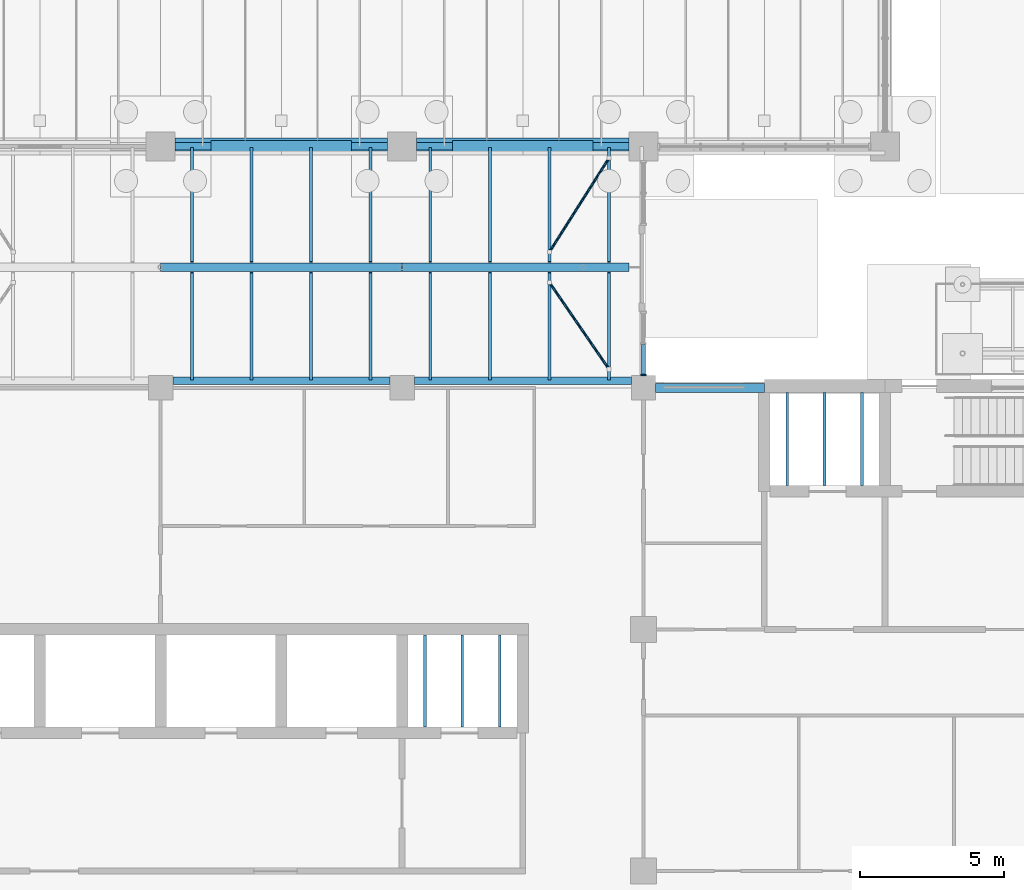
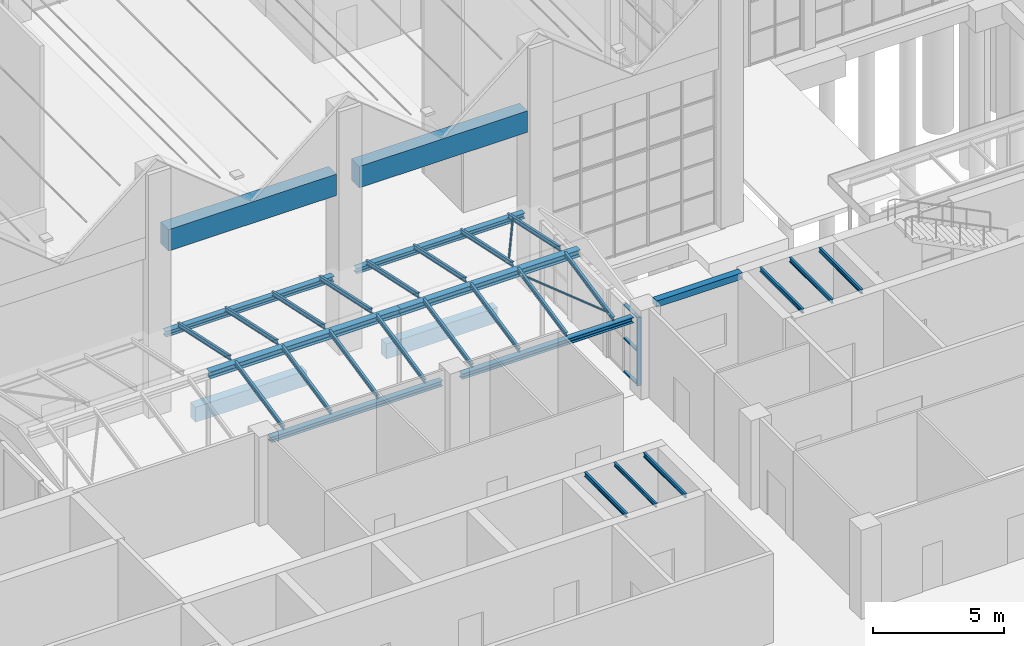
# One storey, part 38 of 138: 33 beams, 6 members, 1 element without a shape of its own.
"""IFC4 building model written with IfcOpenShell, lengths in metres."""

import ifcopenshell
import ifcopenshell.guid

model = None  # the IFC model being written
_history = None  # IfcOwnerHistory: only IFC2X3 demands one
_inside = {}  # id of a spatial element -> (the spatial element, [elements in it])
_under = {}  # id of a project, library or spatial element -> (it, [spatial elements below it])
_declared = {}  # id of a project -> (the project, [libraries it declares])
_typed = {}  # id of a type object -> (the type object, [elements of that type])
_made_of = {}  # id of a material, layer set ... -> (it, [elements and type objects made of it])


def new_model(schema):
    """Start an empty IFC model of exactly this schema.

    Asked for "IFC4X3", IfcOpenShell would pick the latest addendum, in which some entities
    have other attributes; the version numbers below select the first issue.
    IFC2X3 requires an IfcOwnerHistory on every rooted entity: one is made here for all.
    """
    global model, _history
    if schema == "IFC4X3":
        model = ifcopenshell.file(schema_version=(4, 3, 0, 0))
    else:
        model = ifcopenshell.file(schema=schema)
    _inside.clear()
    _under.clear()
    _declared.clear()
    _typed.clear()
    _made_of.clear()
    _history = None
    if model.schema == "IFC2X3":
        org = make("IfcOrganization", Name="unknown")
        user = make(
            "IfcPersonAndOrganization",
            ThePerson=make("IfcPerson", FamilyName="unknown"),
            TheOrganization=org,
        )
        app = make(
            "IfcApplication",
            ApplicationDeveloper=org,
            Version="unknown",
            ApplicationFullName="unknown",
            ApplicationIdentifier="unknown",
        )
        _history = make(
            "IfcOwnerHistory",
            OwningUser=user,
            OwningApplication=app,
            ChangeAction="ADDED",
            CreationDate=0,
        )
    return model


def make(cls, **values):
    """One entity of the class cls with the attributes given. An attribute that is None is left unset."""
    return model.create_entity(
        cls, **{name: value for name, value in values.items() if value is not None}
    )


def rooted(cls, **values):
    """An entity with a GlobalId (a new one), such as an element, a storey or a relation."""
    return make(cls, GlobalId=ifcopenshell.guid.new(), OwnerHistory=_history, **values)


def si_unit(unit_type, name, prefix=None):
    """IfcSIUnit, for example si_unit("LENGTHUNIT", "METRE", prefix="MILLI")."""
    return make("IfcSIUnit", UnitType=unit_type, Prefix=prefix, Name=name)


def assignment(units):
    """IfcUnitAssignment: the units of a project."""
    return None if units is None else make("IfcUnitAssignment", Units=units)


def point(xyz):
    """IfcCartesianPoint."""
    return None if xyz is None else make("IfcCartesianPoint", Coordinates=xyz)


def direction(xyz):
    """IfcDirection."""
    return None if xyz is None else make("IfcDirection", DirectionRatios=xyz)


def frame(location, z_axis=None, x_axis=None):
    """IfcAxis2Placement3D, a coordinate frame: its origin and axes. An axis left out is left unset."""
    return make(
        "IfcAxis2Placement3D",
        Location=point(location),
        Axis=direction(z_axis),
        RefDirection=direction(x_axis),
    )


def frame_2d(location, x_axis=None):
    """IfcAxis2Placement2D, a coordinate frame in the plane: its origin and x axis."""
    return make(
        "IfcAxis2Placement2D", Location=point(location), RefDirection=direction(x_axis)
    )


def origin():
    """The frame at (0, 0, 0) with its axes left unset."""
    return frame((0.0, 0.0, 0.0))


def origin_2d():
    """The frame at (0, 0) in the plane with its x axis left unset."""
    return frame_2d((0.0, 0.0))


def place(relative_to, where):
    """IfcLocalPlacement: puts the frame where relative to a parent placement (None: the world)."""
    return make(
        "IfcLocalPlacement", PlacementRelTo=relative_to, RelativePlacement=where
    )


def context(
    kind, dimensions, precision=None, world=None, true_north=None, identifier=None
):
    """IfcGeometricRepresentationContext, for example the 3D "Model" context."""
    return make(
        "IfcGeometricRepresentationContext",
        ContextIdentifier=identifier,
        ContextType=kind,
        CoordinateSpaceDimension=dimensions,
        Precision=precision,
        WorldCoordinateSystem=world,
        TrueNorth=true_north,
    )


def subcontext(parent, identifier, kind, view, scale=None):
    """IfcGeometricRepresentationSubContext, for example "Body" below "Model"."""
    return make(
        "IfcGeometricRepresentationSubContext",
        ContextIdentifier=identifier,
        ContextType=kind,
        ParentContext=parent,
        TargetScale=scale,
        TargetView=view,
    )


def project(units=None, contexts=None):
    """IfcProject with its units and contexts."""
    return rooted(
        "IfcProject",
        Name="project",
        RepresentationContexts=contexts,
        UnitsInContext=assignment(units),
    )


def spatial(cls, under=None, at=None, **own):
    """A site, building, storey or space (cls), placed at a placement, below another one or the project."""
    s = rooted(cls, ObjectPlacement=at, **own)
    if under is not None:
        _under.setdefault(under.id(), (under, []))[1].append(s)
    return s


def profile(cls, at=None, kind="AREA", **sizes):
    """A parametric profile (cls). Its sizes go by their IFC names, for example OverallWidth=200.0."""
    return make(cls, ProfileType=kind, Position=at, **sizes)


def rectangle(**sizes):
    """IfcRectangleProfileDef."""
    return profile("IfcRectangleProfileDef", **sizes)


def hollow_circle(**sizes):
    """IfcCircleHollowProfileDef."""
    return profile("IfcCircleHollowProfileDef", **sizes)


def i_section(**sizes):
    """IfcIShapeProfileDef."""
    return profile("IfcIShapeProfileDef", **sizes)


def extrude(swept, where, along, depth):
    """IfcExtrudedAreaSolid: the profile swept, set in the frame where, extruded along a direction by depth."""
    return make(
        "IfcExtrudedAreaSolid",
        SweptArea=swept,
        Position=where,
        ExtrudedDirection=direction(along),
        Depth=depth,
    )


def shape(context_of_items, identifier, shape_type, items):
    """IfcShapeRepresentation: the items that make up one representation, for example the "Body"."""
    return make(
        "IfcShapeRepresentation",
        ContextOfItems=context_of_items,
        RepresentationIdentifier=identifier,
        RepresentationType=shape_type,
        Items=items,
    )


def material(Name=None, Category=None):
    """IfcMaterial."""
    return make("IfcMaterial", Name=Name, Category=Category)


def material_profile(
    of_material, cross_section, Name=None, Category=None, Priority=None
):
    """IfcMaterialProfile: a cross section and its material."""
    return make(
        "IfcMaterialProfile",
        Name=Name,
        Material=of_material,
        Profile=cross_section,
        Priority=Priority,
        Category=Category,
    )


def profile_set(profiles, Name=None, composite=None):
    """IfcMaterialProfileSet."""
    return make(
        "IfcMaterialProfileSet",
        Name=Name,
        MaterialProfiles=profiles,
        CompositeProfile=composite,
    )


def made_of(thing, what):
    """Note that an element or type object is made of a material, layer set ...; save() writes the relation."""
    if what is not None:
        _made_of.setdefault(what.id(), (what, []))[1].append(thing)
    return thing


def type_object(cls, material=None, **own):
    """A type object (cls), such as IfcWallType, which elements share."""
    return made_of(rooted(cls, **own), material)


def element(
    cls,
    number,
    at=None,
    inside=None,
    cuts=None,
    type_object=None,
    material=None,
    context=None,
    identifier="Body",
    shape_type=None,
    held_by="IfcProductDefinitionShape",
    body=None,
    shapes=None,
    **own,
):
    """One element of the class cls, such as IfcWall. Its Tag is "e" and its number.

    at: its placement. inside: the storey or other place that contains it. cuts: it is an
    opening in that element (IfcRelVoidsElement). A single representation is given by context,
    identifier, shape_type and body (its items); several are given by shapes. held_by: the class
    of the entity that holds the representations. save() writes the other relations.
    """
    e = rooted(cls, Tag="e%d" % number, ObjectPlacement=at, **own)
    if body is not None:
        shapes = [shape(context, identifier, shape_type, body)]
    if shapes is not None:
        e.Representation = make(held_by, Representations=shapes)
    if inside is not None:
        _inside.setdefault(inside.id(), (inside, []))[1].append(e)
    if cuts is not None:
        rooted(
            "IfcRelVoidsElement", RelatingBuildingElement=cuts, RelatedOpeningElement=e
        )
    if type_object is not None:
        _typed.setdefault(type_object.id(), (type_object, []))[1].append(e)
    return made_of(e, material)


def aggregate(whole, parts):
    """IfcRelAggregates: a whole, such as a stair, and the parts it consists of."""
    return rooted("IfcRelAggregates", RelatingObject=whole, RelatedObjects=parts)


def save(model, path):
    """Write the relations noted so far, then the file.

    IfcRelAggregates (storeys below a building ...), IfcRelContainedInSpatialStructure (elements
    in a storey), IfcRelDefinesByType, IfcRelAssociatesMaterial and IfcRelDeclares: one each for
    every whole, place, type object, material and project.
    """
    for whole, parts in _under.values():
        aggregate(whole, parts)
    for where, things in _inside.values():
        rooted(
            "IfcRelContainedInSpatialStructure",
            RelatedElements=things,
            RelatingStructure=where,
        )
    for kind, things in _typed.values():
        rooted("IfcRelDefinesByType", RelatedObjects=things, RelatingType=kind)
    for what, things in _made_of.values():
        rooted("IfcRelAssociatesMaterial", RelatedObjects=things, RelatingMaterial=what)
    for by, libraries in _declared.values():
        rooted("IfcRelDeclares", RelatingContext=by, RelatedDefinitions=libraries)
    model.write(path)


model = new_model("IFC4")

# Units and contexts
model_context = context("Model", 3, precision=1e-05, world=origin(), true_north=direction((0.0, 1.0)))
body_context = subcontext(model_context, "Body", "Model", "MODEL_VIEW")
ifc_project = project(units=[si_unit("LENGTHUNIT", "METRE"), si_unit("AREAUNIT", "SQUARE_METRE"), si_unit("VOLUMEUNIT", "CUBIC_METRE"), si_unit("PLANEANGLEUNIT", "RADIAN"), si_unit("MASSUNIT", "GRAM", prefix="KILO")], contexts=[model_context])

# Site, building, storey
site_placement = place(None, origin())
site = spatial("IfcSite", under=ifc_project, at=site_placement, CompositionType="ELEMENT")
building_placement = place(site_placement, origin())
building = spatial("IfcBuilding", under=site, at=building_placement, Name="Yavir Park General Hospital", CompositionType="ELEMENT")
storey_placement = place(building_placement, origin())
storey = spatial("IfcBuildingStorey", under=building, at=storey_placement, Name="L00", CompositionType="ELEMENT", Elevation=0.0)

# Members
ifc_material_1 = material(Name="Steel S355", Category="steel")
ifc_material_profile_1 = material_profile(ifc_material_1, hollow_circle(Radius=0.04443359375, WallThickness=0.0048828125, at=origin_2d()), Name="CHS88.9x5")
ifc_profile_set_1 = profile_set([ifc_material_profile_1], Name="Steel S355")
member_type_1 = type_object("IfcMemberType", Name="CHS 88.9x5 roof brace", PredefinedType="BRACE", material=ifc_profile_set_1)
member_1_placement = place(storey_placement, frame((99.60009765625, 34.25244140625, 3.68408203125), z_axis=(-0.557681042943, 0.811626262262, 0.173938681003), x_axis=(-0.824189811811, -0.56631365347, 0.0)))
element("IfcMember", 1, at=member_1_placement, inside=storey, type_object=member_type_1, Name="RF:FOYER:frame:X:1", PredefinedType="BRACE", context=body_context, shape_type="SweptSolid", body=[
    extrude(hollow_circle(Radius=0.04443359375, WallThickness=0.0048828125, at=origin_2d()), origin(), (0.0, 0.0, 1.0), 3.716796875),
])
member_2_placement = place(storey_placement, frame((99.60009765625, 41.59765625, 3.630615234375), z_axis=(-0.527213079538, -0.830872909803, 0.178035323797), x_axis=(0.844362360977, -0.535772529499, 0.0)))
element("IfcMember", 2, at=member_2_placement, inside=storey, type_object=member_type_1, Name="RF:FOYER:frame:X:3", PredefinedType="BRACE", context=body_context, shape_type="SweptSolid", body=[
    extrude(hollow_circle(Radius=0.04443359375, WallThickness=0.0048828125, at=origin_2d()), origin(), (0.0, 0.0, 1.0), 3.931640625),
])

# Curtain wall, members
ifc_material_2 = material(Name="Aluminium curtain wall frame with insulated glazing", Category="aluminium")
curtain_wall_type = type_object("IfcCurtainWallType", Name="Glazed foyer walls, 3164 high, 1400 module", PredefinedType="NOTDEFINED", material=ifc_material_2)
curtain_wall_placement = place(storey_placement, origin())
curtain_wall = element("IfcCurtainWall", 3, at=curtain_wall_placement, inside=storey, type_object=curtain_wall_type, Name="CW36 L00-056", PredefinedType="NOTDEFINED")
ifc_material_3 = material(Name="Aluminium", Category="aluminium")
ifc_material_profile_2 = material_profile(ifc_material_3, rectangle(XDim=0.179931640625, YDim=0.06005859375, at=origin_2d()), Name="AL 60x180")
ifc_profile_set_2 = profile_set([ifc_material_profile_2], Name="Aluminium")
member_type_2 = type_object("IfcMemberType", Name="Glazed foyer walls, 3164 high mullion 60 x 180", PredefinedType="MULLION", material=ifc_profile_set_2)
member_3_placement = place(storey_placement, frame((100.800048828125, 34.054931640625, 0.0), z_axis=(0.0, 0.0, 1.0), x_axis=(-1.0, 0.0, 0.0)))
member_3 = element("IfcMember", 4, at=member_3_placement, type_object=member_type_2, Name="CW36 mullion 1", PredefinedType="MULLION", context=body_context, shape_type="SweptSolid", body=[
    extrude(rectangle(XDim=0.179931640625, YDim=0.06005859375, at=origin_2d()), origin(), (0.0, 0.0, 1.0), 3.1640625),
])
ifc_material_4 = material(Name="Aluminium", Category="aluminium")
ifc_material_profile_3 = material_profile(ifc_material_4, rectangle(XDim=0.139892578125, YDim=0.06005859375, at=origin_2d()), Name="AL 140x60")
ifc_profile_set_3 = profile_set([ifc_material_profile_3], Name="Aluminium")
member_type_3 = type_object("IfcMemberType", Name="Glazed foyer walls, 3164 high transom 60 x 140", PredefinedType="MULLION", material=ifc_profile_set_3)
member_4_placement = place(storey_placement, frame((100.800048828125, 34.0849609375, 0.030029296875), z_axis=(0.0, 1.0, 0.0), x_axis=(-1.0, 0.0, 0.0)))
member_4 = element("IfcMember", 5, at=member_4_placement, type_object=member_type_3, Name="CW36 transom 1.1", PredefinedType="MULLION", context=body_context, shape_type="SweptSolid", body=[
    extrude(rectangle(XDim=0.139892578125, YDim=0.06005859375, at=origin_2d()), origin(), (0.0, 0.0, 1.0), 1.02880859375),
])
member_5_placement = place(storey_placement, frame((100.800048828125, 34.0849609375, 1.58203125), z_axis=(0.0, 1.0, 0.0), x_axis=(-1.0, 0.0, 0.0)))
member_5 = element("IfcMember", 6, at=member_5_placement, type_object=member_type_3, Name="CW36 transom 1.2", PredefinedType="MULLION", context=body_context, shape_type="SweptSolid", body=[
    extrude(rectangle(XDim=0.139892578125, YDim=0.06005859375, at=origin_2d()), origin(), (0.0, 0.0, 1.0), 1.02880859375),
])
member_6_placement = place(storey_placement, frame((100.800048828125, 34.0849609375, 3.134033203125), z_axis=(0.0, 1.0, 0.0), x_axis=(-1.0, 0.0, 0.0)))
member_6 = element("IfcMember", 7, at=member_6_placement, type_object=member_type_3, Name="CW36 transom 1.3", PredefinedType="MULLION", context=body_context, shape_type="SweptSolid", body=[
    extrude(rectangle(XDim=0.139892578125, YDim=0.06005859375, at=origin_2d()), origin(), (0.0, 0.0, 1.0), 1.02880859375),
])
aggregate(curtain_wall, [member_3, member_4, member_5, member_6])

# Beams
ifc_material_5 = material(Name="Steel S355", Category="steel")
ifc_material_profile_4 = material_profile(ifc_material_5, i_section(OverallWidth=0.260009765625, OverallDepth=0.25, WebThickness=0.007568359375, FlangeThickness=0.012451171875, FilletRadius=0.02392578125, at=origin_2d()), Name="HEA260")
ifc_profile_set_4 = profile_set([ifc_material_profile_4], Name="Steel S355")
beam_type_1 = type_object("IfcBeamType", Name="HEA 260 eave beam", PredefinedType="BEAM", material=ifc_profile_set_4)
for number, where, z_axis, x_axis, name in (
    (8, (84.425048828125, 33.85009765625, 3.385986328125), (1.0, 0.0, 0.0), (0.0, 1.0, 0.0), "RF:FOYER:frame:E:1"),
    (9, (92.824951171875, 33.85009765625, 3.385986328125), (1.0, 0.0, 0.0), (0.0, 1.0, 0.0), "RF:FOYER:frame:E:2"),
):
    element("IfcBeam", number, at=place(storey_placement, frame(where, z_axis=z_axis, x_axis=x_axis)), inside=storey, type_object=beam_type_1, Name=name, PredefinedType="BEAM", context=body_context, shape_type="SweptSolid", body=[
        extrude(i_section(OverallWidth=0.260009765625, OverallDepth=0.25, WebThickness=0.007568359375, FlangeThickness=0.012451171875, FilletRadius=0.02392578125, at=origin_2d()), origin(), (0.0, 0.0, 1.0), 7.550048828125),
    ])
beam_1_placement = place(storey_placement, frame((84.5, 42.0, 3.33203125), z_axis=(1.0, 0.0, 0.0), x_axis=(0.0, 1.0, 0.0)))
element("IfcBeam", 10, at=beam_1_placement, inside=storey, type_object=beam_type_1, Name="RF:FOYER:frame:E:4", PredefinedType="BEAM", context=body_context, shape_type="SweptSolid", body=[
    extrude(i_section(OverallWidth=0.260009765625, OverallDepth=0.25, WebThickness=0.007568359375, FlangeThickness=0.012451171875, FilletRadius=0.02392578125, at=origin_2d()), origin(), (0.0, 0.0, 1.0), 7.39990234375),
])
beam_2_placement = place(storey_placement, frame((92.89990234375, 42.0, 3.33203125), z_axis=(1.0, 0.0, 0.0), x_axis=(0.0, 1.0, 0.0)))
element("IfcBeam", 11, at=beam_2_placement, inside=storey, type_object=beam_type_1, Name="RF:FOYER:frame:E:5", PredefinedType="BEAM", context=body_context, shape_type="SweptSolid", body=[
    extrude(i_section(OverallWidth=0.260009765625, OverallDepth=0.25, WebThickness=0.007568359375, FlangeThickness=0.012451171875, FilletRadius=0.02392578125, at=origin_2d()), origin(), (0.0, 0.0, 1.0), 7.400146484375),
])
ifc_material_6 = material(Name="Steel S355", Category="steel")
ifc_material_profile_5 = material_profile(ifc_material_6, i_section(OverallWidth=0.300048828125, OverallDepth=0.31005859375, WebThickness=0.009033203125, FlangeThickness=0.015380859375, FilletRadius=0.027099609375, at=origin_2d()), Name="HEA320")
ifc_profile_set_5 = profile_set([ifc_material_profile_5], Name="Steel S355")
beam_type_2 = type_object("IfcBeamType", Name="HEA 320 ridge beam", PredefinedType="BEAM", material=ifc_profile_set_5)
beam_3_placement = place(storey_placement, frame((84.0, 37.800048828125, 4.154052734375), z_axis=(1.0, 0.0, 0.0), x_axis=(0.0, 1.0, 0.0)))
element("IfcBeam", 12, at=beam_3_placement, inside=storey, type_object=beam_type_2, Name="RF:FOYER:frame:G:1", PredefinedType="BEAM", context=body_context, shape_type="SweptSolid", body=[
    extrude(i_section(OverallWidth=0.300048828125, OverallDepth=0.31005859375, WebThickness=0.009033203125, FlangeThickness=0.015380859375, FilletRadius=0.027099609375, at=origin_2d()), origin(), (0.0, 0.0, 1.0), 8.39990234375),
])
beam_4_placement = place(storey_placement, frame((92.39990234375, 37.800048828125, 4.154052734375), z_axis=(1.0, 0.0, 0.0), x_axis=(0.0, 1.0, 0.0)))
element("IfcBeam", 13, at=beam_4_placement, inside=storey, type_object=beam_type_2, Name="RF:FOYER:frame:G:2", PredefinedType="BEAM", context=body_context, shape_type="SweptSolid", body=[
    extrude(i_section(OverallWidth=0.300048828125, OverallDepth=0.31005859375, WebThickness=0.009033203125, FlangeThickness=0.015380859375, FilletRadius=0.027099609375, at=origin_2d()), origin(), (0.0, 0.0, 1.0), 7.900146484375),
])
ifc_material_7 = material(Name="Steel S355", Category="steel")
ifc_material_profile_6 = material_profile(ifc_material_7, i_section(OverallWidth=0.091064453125, OverallDepth=0.179931640625, WebThickness=0.00537109375, FlangeThickness=0.008056640625, FilletRadius=0.009033203125, at=origin_2d()), Name="IPE180")
ifc_profile_set_6 = profile_set([ifc_material_profile_6], Name="Steel S355")
beam_type_3 = type_object("IfcBeamType", Name="IPE 180 lift hoist beam", PredefinedType="BEAM", material=ifc_profile_set_6)
beam_5_placement = place(storey_placement, frame((94.5, 21.800048828125, 4.050048828125), z_axis=(0.0, 1.0, 0.0), x_axis=(-1.0, 0.0, 0.0)))
element("IfcBeam", 14, at=beam_5_placement, inside=storey, type_object=beam_type_3, Name="B:HOIST:FL3", PredefinedType="BEAM", context=body_context, shape_type="SweptSolid", body=[
    extrude(i_section(OverallWidth=0.091064453125, OverallDepth=0.179931640625, WebThickness=0.00537109375, FlangeThickness=0.008056640625, FilletRadius=0.009033203125, at=origin_2d()), origin(), (0.0, 0.0, 1.0), 3.199951171875),
])
ifc_material_8 = material(Name="Steel S355", Category="steel")
ifc_material_profile_7 = material_profile(ifc_material_8, i_section(OverallWidth=0.10009765625, OverallDepth=0.199951171875, WebThickness=0.005615234375, FlangeThickness=0.008544921875, FilletRadius=0.011962890625, at=origin_2d()), Name="IPE200")
ifc_profile_set_7 = profile_set([ifc_material_profile_7], Name="Steel S355")
beam_type_4 = type_object("IfcBeamType", Name="IPE 200 lift hoist beam", PredefinedType="BEAM", material=ifc_profile_set_7)
beam_6_placement = place(storey_placement, frame((107.10009765625, 30.199951171875, 4.0400390625), z_axis=(0.0, 1.0, 0.0), x_axis=(-1.0, 0.0, 0.0)))
element("IfcBeam", 15, at=beam_6_placement, inside=storey, type_object=beam_type_4, Name="B:HOIST:FL4", PredefinedType="BEAM", context=body_context, shape_type="SweptSolid", body=[
    extrude(i_section(OverallWidth=0.10009765625, OverallDepth=0.199951171875, WebThickness=0.005615234375, FlangeThickness=0.008544921875, FilletRadius=0.011962890625, at=origin_2d()), origin(), (0.0, 0.0, 1.0), 3.25),
])
ifc_material_9 = material(Name="Steel S355", Category="steel")
ifc_material_profile_8 = material_profile(ifc_material_9, i_section(OverallWidth=0.10009765625, OverallDepth=0.199951171875, WebThickness=0.005615234375, FlangeThickness=0.008544921875, FilletRadius=0.011962890625, at=origin_2d()), Name="IPE200")
ifc_profile_set_8 = profile_set([ifc_material_profile_8], Name="Steel S355")
beam_type_5 = type_object("IfcBeamType", Name="IPE 200 lift machine beam", PredefinedType="BEAM", material=ifc_profile_set_8)
for number, where, z_axis, x_axis, name in (
    (16, (93.199951171875, 21.800048828125, 4.0400390625), (0.0, 1.0, 0.0), (-1.0, 0.0, 0.0), "B:MACH:FL3:0"),
    (17, (95.800048828125, 21.800048828125, 4.0400390625), (0.0, 1.0, 0.0), (-1.0, 0.0, 0.0), "B:MACH:FL3:1"),
):
    element("IfcBeam", number, at=place(storey_placement, frame(where, z_axis=z_axis, x_axis=x_axis)), inside=storey, type_object=beam_type_5, Name=name, PredefinedType="BEAM", context=body_context, shape_type="SweptSolid", body=[
        extrude(i_section(OverallWidth=0.10009765625, OverallDepth=0.199951171875, WebThickness=0.005615234375, FlangeThickness=0.008544921875, FilletRadius=0.011962890625, at=origin_2d()), origin(), (0.0, 0.0, 1.0), 3.199951171875),
    ])
for number, where, z_axis, x_axis, name in (
    (18, (105.800048828125, 30.199951171875, 4.0400390625), (0.0, 1.0, 0.0), (-1.0, 0.0, 0.0), "B:MACH:FL4:0"),
    (19, (108.39990234375, 30.199951171875, 4.0400390625), (0.0, 1.0, 0.0), (-1.0, 0.0, 0.0), "B:MACH:FL4:1"),
):
    element("IfcBeam", number, at=place(storey_placement, frame(where, z_axis=z_axis, x_axis=x_axis)), inside=storey, type_object=beam_type_5, Name=name, PredefinedType="BEAM", context=body_context, shape_type="SweptSolid", body=[
        extrude(i_section(OverallWidth=0.10009765625, OverallDepth=0.199951171875, WebThickness=0.005615234375, FlangeThickness=0.008544921875, FilletRadius=0.011962890625, at=origin_2d()), origin(), (0.0, 0.0, 1.0), 3.25),
    ])
ifc_material_10 = material(Name="Steel S355", Category="steel")
ifc_material_profile_9 = material_profile(ifc_material_10, i_section(OverallWidth=0.10009765625, OverallDepth=0.199951171875, WebThickness=0.005615234375, FlangeThickness=0.008544921875, FilletRadius=0.011962890625, at=origin_2d()), Name="IPE200")
ifc_profile_set_9 = profile_set([ifc_material_profile_9], Name="Steel S355")
beam_type_6 = type_object("IfcBeamType", Name="IPE 200 rafter", PredefinedType="JOIST", material=ifc_profile_set_9)
beam_7_placement = place(storey_placement, frame((85.0908203125, 33.90234375, 3.609130859375), z_axis=(0.0, 0.977803354048, 0.209524702155), x_axis=(-1.0, 0.0, 0.0)))
element("IfcBeam", 20, at=beam_7_placement, inside=storey, type_object=beam_type_6, Name="RF:FOYER:frame:R:8", PredefinedType="JOIST", context=body_context, shape_type="SweptSolid", body=[
    extrude(i_section(OverallWidth=0.10009765625, OverallDepth=0.199951171875, WebThickness=0.005615234375, FlangeThickness=0.008544921875, FilletRadius=0.011962890625, at=origin_2d()), origin(), (0.0, 0.0, 1.0), 3.801025390625),
])
beam_8_placement = place(storey_placement, frame((85.0908203125, 37.98095703125, 4.405517578125), z_axis=(0.0, 0.977796248547, -0.20955785914), x_axis=(-1.0, 0.0, 0.0)))
element("IfcBeam", 21, at=beam_8_placement, inside=storey, type_object=beam_type_6, Name="RF:FOYER:frame:R:9", PredefinedType="JOIST", context=body_context, shape_type="SweptSolid", body=[
    extrude(i_section(OverallWidth=0.10009765625, OverallDepth=0.199951171875, WebThickness=0.005615234375, FlangeThickness=0.008544921875, FilletRadius=0.011962890625, at=origin_2d()), origin(), (0.0, 0.0, 1.0), 4.056640625),
])
beam_9_placement = place(storey_placement, frame((87.16357421875, 33.90234375, 3.609130859375), z_axis=(0.0, 0.977803354048, 0.209524702155), x_axis=(-1.0, 0.0, 0.0)))
element("IfcBeam", 22, at=beam_9_placement, inside=storey, type_object=beam_type_6, Name="RF:FOYER:frame:R:10", PredefinedType="JOIST", context=body_context, shape_type="SweptSolid", body=[
    extrude(i_section(OverallWidth=0.10009765625, OverallDepth=0.199951171875, WebThickness=0.005615234375, FlangeThickness=0.008544921875, FilletRadius=0.011962890625, at=origin_2d()), origin(), (0.0, 0.0, 1.0), 3.801025390625),
])
beam_10_placement = place(storey_placement, frame((87.16357421875, 37.98095703125, 4.405517578125), z_axis=(0.0, 0.977796248547, -0.20955785914), x_axis=(-1.0, 0.0, 0.0)))
element("IfcBeam", 23, at=beam_10_placement, inside=storey, type_object=beam_type_6, Name="RF:FOYER:frame:R:11", PredefinedType="JOIST", context=body_context, shape_type="SweptSolid", body=[
    extrude(i_section(OverallWidth=0.10009765625, OverallDepth=0.199951171875, WebThickness=0.005615234375, FlangeThickness=0.008544921875, FilletRadius=0.011962890625, at=origin_2d()), origin(), (0.0, 0.0, 1.0), 4.056640625),
])
beam_11_placement = place(storey_placement, frame((89.236328125, 33.90234375, 3.609130859375), z_axis=(0.0, 0.977803354048, 0.209524702155), x_axis=(-1.0, 0.0, 0.0)))
element("IfcBeam", 24, at=beam_11_placement, inside=storey, type_object=beam_type_6, Name="RF:FOYER:frame:R:12", PredefinedType="JOIST", context=body_context, shape_type="SweptSolid", body=[
    extrude(i_section(OverallWidth=0.10009765625, OverallDepth=0.199951171875, WebThickness=0.005615234375, FlangeThickness=0.008544921875, FilletRadius=0.011962890625, at=origin_2d()), origin(), (0.0, 0.0, 1.0), 3.801025390625),
])
beam_12_placement = place(storey_placement, frame((89.236328125, 37.98095703125, 4.405517578125), z_axis=(0.0, 0.977796248547, -0.20955785914), x_axis=(-1.0, 0.0, 0.0)))
element("IfcBeam", 25, at=beam_12_placement, inside=storey, type_object=beam_type_6, Name="RF:FOYER:frame:R:13", PredefinedType="JOIST", context=body_context, shape_type="SweptSolid", body=[
    extrude(i_section(OverallWidth=0.10009765625, OverallDepth=0.199951171875, WebThickness=0.005615234375, FlangeThickness=0.008544921875, FilletRadius=0.011962890625, at=origin_2d()), origin(), (0.0, 0.0, 1.0), 4.056640625),
])
beam_13_placement = place(storey_placement, frame((91.30908203125, 33.90234375, 3.609130859375), z_axis=(0.0, 0.977803354048, 0.209524702155), x_axis=(-1.0, 0.0, 0.0)))
element("IfcBeam", 26, at=beam_13_placement, inside=storey, type_object=beam_type_6, Name="RF:FOYER:frame:R:14", PredefinedType="JOIST", context=body_context, shape_type="SweptSolid", body=[
    extrude(i_section(OverallWidth=0.10009765625, OverallDepth=0.199951171875, WebThickness=0.005615234375, FlangeThickness=0.008544921875, FilletRadius=0.011962890625, at=origin_2d()), origin(), (0.0, 0.0, 1.0), 3.801025390625),
])
beam_14_placement = place(storey_placement, frame((91.30908203125, 37.98095703125, 4.405517578125), z_axis=(0.0, 0.977796248547, -0.20955785914), x_axis=(-1.0, 0.0, 0.0)))
element("IfcBeam", 27, at=beam_14_placement, inside=storey, type_object=beam_type_6, Name="RF:FOYER:frame:R:15", PredefinedType="JOIST", context=body_context, shape_type="SweptSolid", body=[
    extrude(i_section(OverallWidth=0.10009765625, OverallDepth=0.199951171875, WebThickness=0.005615234375, FlangeThickness=0.008544921875, FilletRadius=0.011962890625, at=origin_2d()), origin(), (0.0, 0.0, 1.0), 4.056640625),
])
beam_15_placement = place(storey_placement, frame((93.3818359375, 33.90234375, 3.609130859375), z_axis=(0.0, 0.977803354048, 0.209524702155), x_axis=(-1.0, 0.0, 0.0)))
element("IfcBeam", 28, at=beam_15_placement, inside=storey, type_object=beam_type_6, Name="RF:FOYER:frame:R:16", PredefinedType="JOIST", context=body_context, shape_type="SweptSolid", body=[
    extrude(i_section(OverallWidth=0.10009765625, OverallDepth=0.199951171875, WebThickness=0.005615234375, FlangeThickness=0.008544921875, FilletRadius=0.011962890625, at=origin_2d()), origin(), (0.0, 0.0, 1.0), 3.801025390625),
])
beam_16_placement = place(storey_placement, frame((93.3818359375, 37.98095703125, 4.405517578125), z_axis=(0.0, 0.977796248547, -0.20955785914), x_axis=(-1.0, 0.0, 0.0)))
element("IfcBeam", 29, at=beam_16_placement, inside=storey, type_object=beam_type_6, Name="RF:FOYER:frame:R:17", PredefinedType="JOIST", context=body_context, shape_type="SweptSolid", body=[
    extrude(i_section(OverallWidth=0.10009765625, OverallDepth=0.199951171875, WebThickness=0.005615234375, FlangeThickness=0.008544921875, FilletRadius=0.011962890625, at=origin_2d()), origin(), (0.0, 0.0, 1.0), 4.056640625),
])
beam_17_placement = place(storey_placement, frame((95.45458984375, 33.90234375, 3.609130859375), z_axis=(0.0, 0.977803354048, 0.209524702155), x_axis=(-1.0, 0.0, 0.0)))
element("IfcBeam", 30, at=beam_17_placement, inside=storey, type_object=beam_type_6, Name="RF:FOYER:frame:R:18", PredefinedType="JOIST", context=body_context, shape_type="SweptSolid", body=[
    extrude(i_section(OverallWidth=0.10009765625, OverallDepth=0.199951171875, WebThickness=0.005615234375, FlangeThickness=0.008544921875, FilletRadius=0.011962890625, at=origin_2d()), origin(), (0.0, 0.0, 1.0), 3.801025390625),
])
beam_18_placement = place(storey_placement, frame((95.45458984375, 37.98095703125, 4.405517578125), z_axis=(0.0, 0.977796248547, -0.20955785914), x_axis=(-1.0, 0.0, 0.0)))
element("IfcBeam", 31, at=beam_18_placement, inside=storey, type_object=beam_type_6, Name="RF:FOYER:frame:R:19", PredefinedType="JOIST", context=body_context, shape_type="SweptSolid", body=[
    extrude(i_section(OverallWidth=0.10009765625, OverallDepth=0.199951171875, WebThickness=0.005615234375, FlangeThickness=0.008544921875, FilletRadius=0.011962890625, at=origin_2d()), origin(), (0.0, 0.0, 1.0), 4.056640625),
])
beam_19_placement = place(storey_placement, frame((97.52734375, 33.90234375, 3.609130859375), z_axis=(0.0, 0.977803354048, 0.209524702155), x_axis=(-1.0, 0.0, 0.0)))
element("IfcBeam", 32, at=beam_19_placement, inside=storey, type_object=beam_type_6, Name="RF:FOYER:frame:R:20", PredefinedType="JOIST", context=body_context, shape_type="SweptSolid", body=[
    extrude(i_section(OverallWidth=0.10009765625, OverallDepth=0.199951171875, WebThickness=0.005615234375, FlangeThickness=0.008544921875, FilletRadius=0.011962890625, at=origin_2d()), origin(), (0.0, 0.0, 1.0), 3.801025390625),
])
beam_20_placement = place(storey_placement, frame((97.52734375, 37.98095703125, 4.405517578125), z_axis=(0.0, 0.977796248547, -0.20955785914), x_axis=(-1.0, 0.0, 0.0)))
element("IfcBeam", 33, at=beam_20_placement, inside=storey, type_object=beam_type_6, Name="RF:FOYER:frame:R:21", PredefinedType="JOIST", context=body_context, shape_type="SweptSolid", body=[
    extrude(i_section(OverallWidth=0.10009765625, OverallDepth=0.199951171875, WebThickness=0.005615234375, FlangeThickness=0.008544921875, FilletRadius=0.011962890625, at=origin_2d()), origin(), (0.0, 0.0, 1.0), 4.056640625),
])
beam_21_placement = place(storey_placement, frame((99.60009765625, 33.90234375, 3.609130859375), z_axis=(0.0, 0.977803354048, 0.209524702155), x_axis=(-1.0, 0.0, 0.0)))
element("IfcBeam", 34, at=beam_21_placement, inside=storey, type_object=beam_type_6, Name="RF:FOYER:frame:R:22", PredefinedType="JOIST", context=body_context, shape_type="SweptSolid", body=[
    extrude(i_section(OverallWidth=0.10009765625, OverallDepth=0.199951171875, WebThickness=0.005615234375, FlangeThickness=0.008544921875, FilletRadius=0.011962890625, at=origin_2d()), origin(), (0.0, 0.0, 1.0), 3.801025390625),
])
beam_22_placement = place(storey_placement, frame((99.60009765625, 37.98095703125, 4.405517578125), z_axis=(0.0, 0.977796248547, -0.20955785914), x_axis=(-1.0, 0.0, 0.0)))
element("IfcBeam", 35, at=beam_22_placement, inside=storey, type_object=beam_type_6, Name="RF:FOYER:frame:R:23", PredefinedType="JOIST", context=body_context, shape_type="SweptSolid", body=[
    extrude(i_section(OverallWidth=0.10009765625, OverallDepth=0.199951171875, WebThickness=0.005615234375, FlangeThickness=0.008544921875, FilletRadius=0.011962890625, at=origin_2d()), origin(), (0.0, 0.0, 1.0), 4.056640625),
])
ifc_material_11 = material(Name="Concrete C35/45", Category="concrete")
ifc_material_profile_10 = material_profile(ifc_material_11, rectangle(XDim=0.300048828125, YDim=0.300048828125, at=origin_2d()), Name="RC300x300")
ifc_profile_set_10 = profile_set([ifc_material_profile_10], Name="Concrete C35/45")
beam_type_7 = type_object("IfcBeamType", Name="RC BEAM 300x300 edge beam", PredefinedType="BEAM", material=ifc_profile_set_10)
beam_23_placement = place(storey_placement, frame((101.22509765625, 33.60009765625, 3.989990234375), z_axis=(1.0, 0.0, 0.0), x_axis=(0.0, 1.0, 0.0)))
element("IfcBeam", 36, at=beam_23_placement, inside=storey, type_object=beam_type_7, Name="B:EDGE:L00:016", PredefinedType="BEAM", context=body_context, shape_type="SweptSolid", body=[
    extrude(rectangle(XDim=0.300048828125, YDim=0.300048828125, at=origin_2d()), origin(), (0.0, 0.0, 1.0), 3.77490234375),
])
ifc_material_12 = material(Name="Concrete C35/45", Category="concrete")
ifc_material_profile_11 = material_profile(ifc_material_12, rectangle(XDim=0.39990234375, YDim=0.699951171875, at=origin_2d()), Name="RC400x700")
ifc_profile_set_11 = profile_set([ifc_material_profile_11], Name="Concrete C35/45")
beam_type_8 = type_object("IfcBeamType", Name="RC BEAM 400x700 ground beam", PredefinedType="BEAM", material=ifc_profile_set_11)
beam_24_placement = place(storey_placement, frame((85.75, 42.0, -0.800048828125), z_axis=(1.0, 0.0, 0.0), x_axis=(0.0, 1.0, 0.0)))
element("IfcBeam", 37, at=beam_24_placement, inside=storey, type_object=beam_type_8, Name="B:GND:L00:11F:L00:12F", PredefinedType="BEAM", context=body_context, shape_type="SweptSolid", body=[
    extrude(rectangle(XDim=0.39990234375, YDim=0.699951171875, at=origin_2d()), origin(), (0.0, 0.0, 1.0), 4.89990234375),
])
beam_25_placement = place(storey_placement, frame((94.14990234375, 42.0, -0.800048828125), z_axis=(1.0, 0.0, 0.0), x_axis=(0.0, 1.0, 0.0)))
element("IfcBeam", 38, at=beam_25_placement, inside=storey, type_object=beam_type_8, Name="B:GND:L00:12F:L00:13F", PredefinedType="BEAM", context=body_context, shape_type="SweptSolid", body=[
    extrude(rectangle(XDim=0.39990234375, YDim=0.699951171875, at=origin_2d()), origin(), (0.0, 0.0, 1.0), 4.900146484375),
])
ifc_material_13 = material(Name="Concrete C35/45", Category="concrete")
ifc_material_profile_12 = material_profile(ifc_material_13, rectangle(XDim=0.60009765625, YDim=1.0, at=origin_2d()), Name="RC600x1000")
ifc_profile_set_12 = profile_set([ifc_material_profile_12], Name="Concrete C35/45")
beam_type_9 = type_object("IfcBeamType", Name="RC BEAM 600x1000 hall end girder", PredefinedType="BEAM", material=ifc_profile_set_12)
beam_26_placement = place(storey_placement, frame((84.5, 42.0, 7.81689453125), z_axis=(1.0, 0.0, 0.0), x_axis=(0.0, 1.0, 0.0)))
element("IfcBeam", 39, at=beam_26_placement, inside=storey, type_object=beam_type_9, Name="B:HALL:END:S1", PredefinedType="BEAM", context=body_context, shape_type="SweptSolid", body=[
    extrude(rectangle(XDim=0.60009765625, YDim=1.0, at=origin_2d()), origin(), (0.0, 0.0, 1.0), 7.39990234375),
])
beam_27_placement = place(storey_placement, frame((92.89990234375, 42.0, 7.81689453125), z_axis=(1.0, 0.0, 0.0), x_axis=(0.0, 1.0, 0.0)))
element("IfcBeam", 40, at=beam_27_placement, inside=storey, type_object=beam_type_9, Name="B:HALL:END:S2", PredefinedType="BEAM", context=body_context, shape_type="SweptSolid", body=[
    extrude(rectangle(XDim=0.60009765625, YDim=1.0, at=origin_2d()), origin(), (0.0, 0.0, 1.0), 7.400146484375),
])

save(model, "model.ifc")
